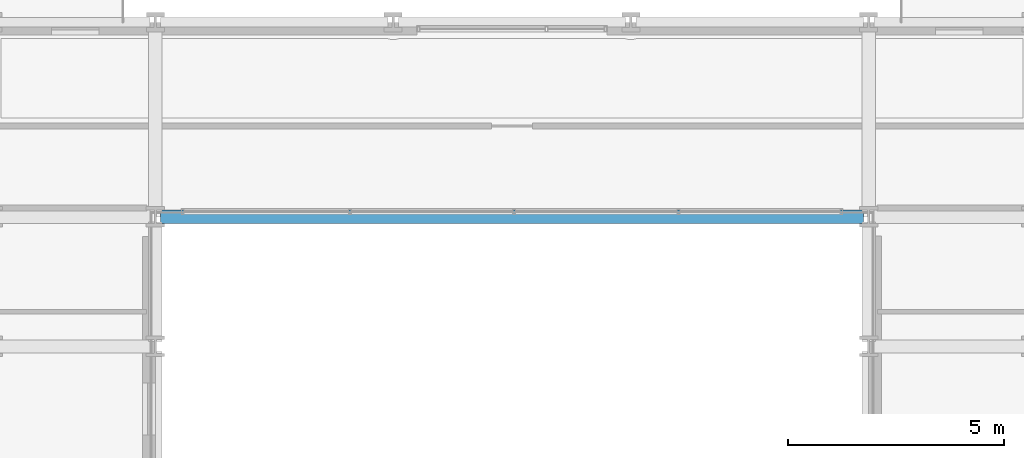
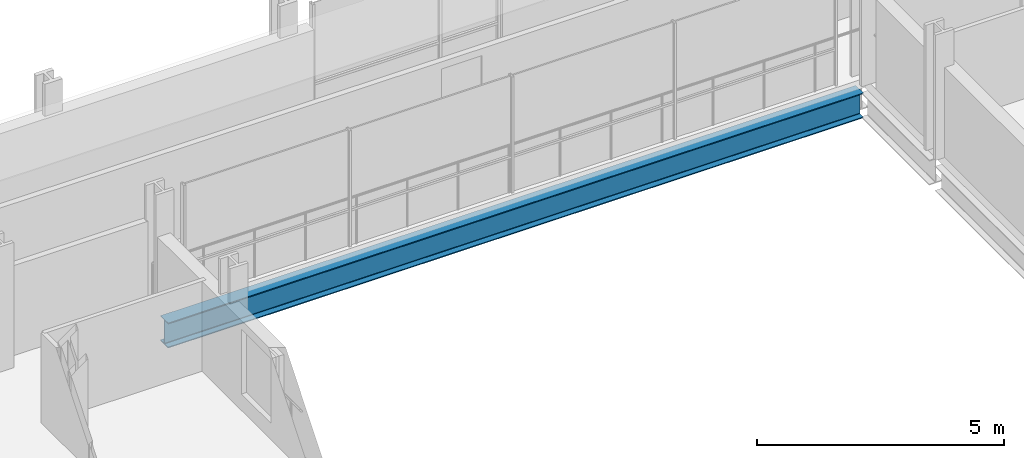
# One storey, part 10 of 39: 1 beam.
"""IFC4 building model written with IfcOpenShell, lengths in metres."""

from ifc_helpers import new_model, si_unit, direction, frame, origin, origin_2d, place, context, subcontext, project, spatial, i_section, extrude, material, material_profile, profile_set, type_object, element, save


model = new_model("IFC4")

# Units and contexts
model_context = context("Model", 3, precision=1e-05, world=origin(), true_north=direction((0.0, 1.0)))
body_context = subcontext(model_context, "Body", "Model", "MODEL_VIEW")
ifc_project = project(units=[si_unit("LENGTHUNIT", "METRE"), si_unit("AREAUNIT", "SQUARE_METRE"), si_unit("VOLUMEUNIT", "CUBIC_METRE"), si_unit("PLANEANGLEUNIT", "RADIAN"), si_unit("MASSUNIT", "GRAM", prefix="KILO")], contexts=[model_context])

# Site, building, storey
site_placement = place(None, origin())
site = spatial("IfcSite", under=ifc_project, at=site_placement, CompositionType="ELEMENT")
building_placement = place(site_placement, origin())
building = spatial("IfcBuilding", under=site, at=building_placement, Name="Brevholm Reach", CompositionType="ELEMENT")
storey_placement = place(building_placement, frame((0.0, 0.0, 34.199951171875)))
storey = spatial("IfcBuildingStorey", under=building, at=storey_placement, Name="L08", CompositionType="ELEMENT", Elevation=34.199951171875)

# Beam
ifc_material = material(Name="Structural Steel S355J2", Category="steel")
ifc_material_profile = material_profile(ifc_material, i_section(OverallWidth=0.30712890625, OverallDepth=0.6201171875, WebThickness=0.01416015625, FlangeThickness=0.023681640625, FilletRadius=0.0166015625, at=origin_2d()), Name="UKB 610x305x179")
ifc_profile_set = profile_set([ifc_material_profile], Name="Structural Steel S355J2")
beam_type = type_object("IfcBeamType", Name="BM-UKB610H", PredefinedType="USERDEFINED", material=ifc_profile_set)
beam_placement = place(storey_placement, frame((21.8701171875, 26.5, -0.5400390625), z_axis=(1.0, 0.0, 0.0), x_axis=(0.0, 1.0, 0.0)))
element("IfcBeam", 1, at=beam_placement, inside=storey, type_object=beam_type, Name="L08 G-06 Framing Beam", ObjectType="GIRDER", PredefinedType="USERDEFINED", context=body_context, shape_type="SweptSolid", body=[
    extrude(i_section(OverallWidth=0.30712890625, OverallDepth=0.6201171875, WebThickness=0.01416015625, FlangeThickness=0.023681640625, FilletRadius=0.0166015625, at=origin_2d()), origin(), (0.0, 0.0, 1.0), 16.259765625),
])

save(model, "model.ifc")
